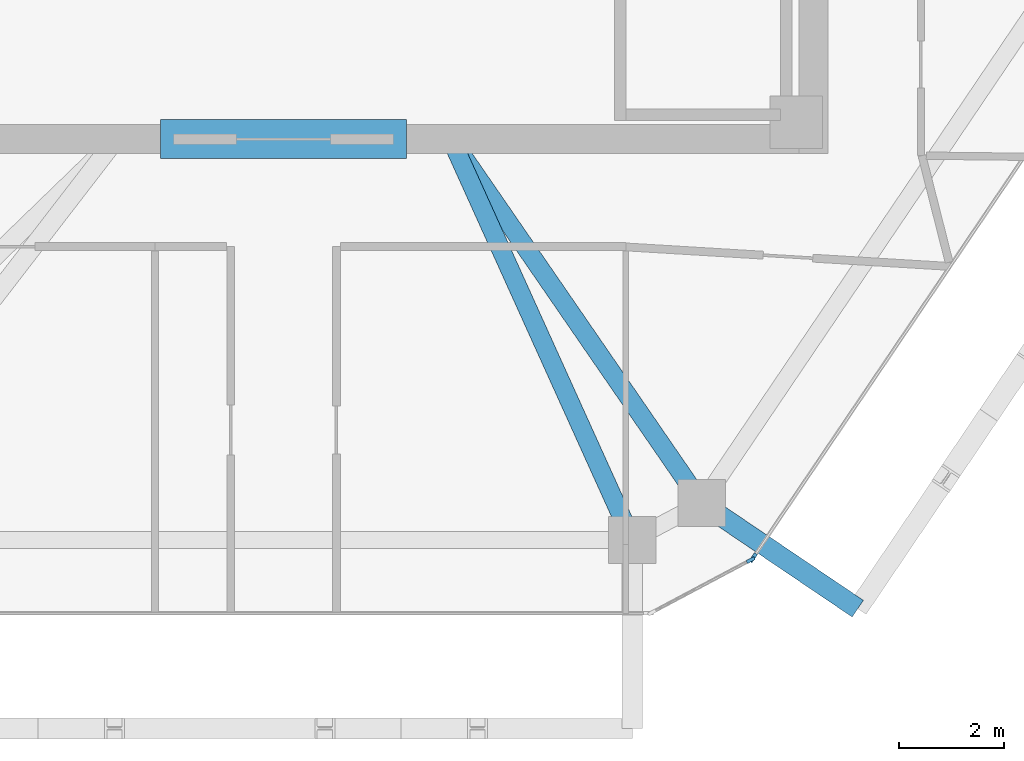
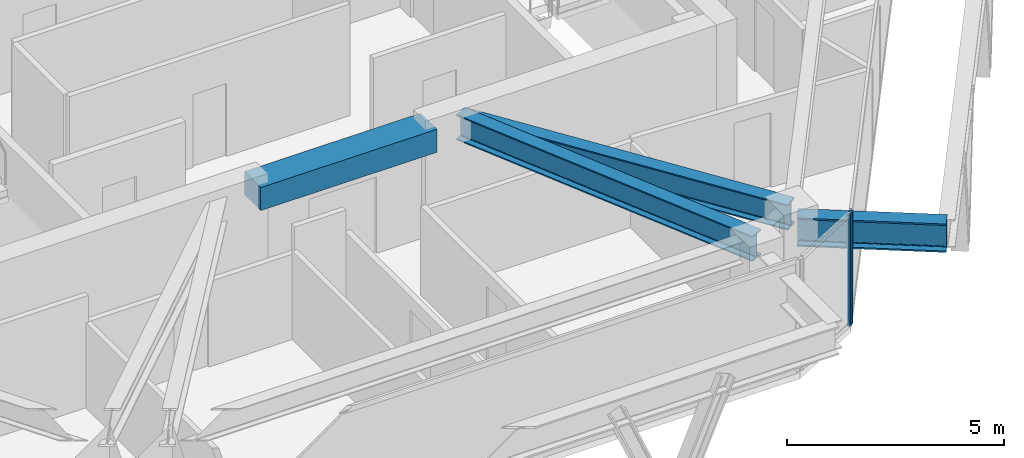
# One storey, part 3 of 11: 4 beams, 2 members, 2 elements without a shape of their own.
"""IFC4 building model written with IfcOpenShell, lengths in metres."""

import ifcopenshell
import ifcopenshell.guid

model = None  # the IFC model being written
_history = None  # IfcOwnerHistory: only IFC2X3 demands one
_inside = {}  # id of a spatial element -> (the spatial element, [elements in it])
_under = {}  # id of a project, library or spatial element -> (it, [spatial elements below it])
_declared = {}  # id of a project -> (the project, [libraries it declares])
_typed = {}  # id of a type object -> (the type object, [elements of that type])
_made_of = {}  # id of a material, layer set ... -> (it, [elements and type objects made of it])


def new_model(schema):
    """Start an empty IFC model of exactly this schema.

    Asked for "IFC4X3", IfcOpenShell would pick the latest addendum, in which some entities
    have other attributes; the version numbers below select the first issue.
    IFC2X3 requires an IfcOwnerHistory on every rooted entity: one is made here for all.
    """
    global model, _history
    if schema == "IFC4X3":
        model = ifcopenshell.file(schema_version=(4, 3, 0, 0))
    else:
        model = ifcopenshell.file(schema=schema)
    _inside.clear()
    _under.clear()
    _declared.clear()
    _typed.clear()
    _made_of.clear()
    _history = None
    if model.schema == "IFC2X3":
        org = make("IfcOrganization", Name="unknown")
        user = make(
            "IfcPersonAndOrganization",
            ThePerson=make("IfcPerson", FamilyName="unknown"),
            TheOrganization=org,
        )
        app = make(
            "IfcApplication",
            ApplicationDeveloper=org,
            Version="unknown",
            ApplicationFullName="unknown",
            ApplicationIdentifier="unknown",
        )
        _history = make(
            "IfcOwnerHistory",
            OwningUser=user,
            OwningApplication=app,
            ChangeAction="ADDED",
            CreationDate=0,
        )
    return model


def make(cls, **values):
    """One entity of the class cls with the attributes given. An attribute that is None is left unset."""
    return model.create_entity(
        cls, **{name: value for name, value in values.items() if value is not None}
    )


def rooted(cls, **values):
    """An entity with a GlobalId (a new one), such as an element, a storey or a relation."""
    return make(cls, GlobalId=ifcopenshell.guid.new(), OwnerHistory=_history, **values)


def si_unit(unit_type, name, prefix=None):
    """IfcSIUnit, for example si_unit("LENGTHUNIT", "METRE", prefix="MILLI")."""
    return make("IfcSIUnit", UnitType=unit_type, Prefix=prefix, Name=name)


def assignment(units):
    """IfcUnitAssignment: the units of a project."""
    return None if units is None else make("IfcUnitAssignment", Units=units)


def point(xyz):
    """IfcCartesianPoint."""
    return None if xyz is None else make("IfcCartesianPoint", Coordinates=xyz)


def direction(xyz):
    """IfcDirection."""
    return None if xyz is None else make("IfcDirection", DirectionRatios=xyz)


def frame(location, z_axis=None, x_axis=None):
    """IfcAxis2Placement3D, a coordinate frame: its origin and axes. An axis left out is left unset."""
    return make(
        "IfcAxis2Placement3D",
        Location=point(location),
        Axis=direction(z_axis),
        RefDirection=direction(x_axis),
    )


def frame_2d(location, x_axis=None):
    """IfcAxis2Placement2D, a coordinate frame in the plane: its origin and x axis."""
    return make(
        "IfcAxis2Placement2D", Location=point(location), RefDirection=direction(x_axis)
    )


def origin():
    """The frame at (0, 0, 0) with its axes left unset."""
    return frame((0.0, 0.0, 0.0))


def origin_2d():
    """The frame at (0, 0) in the plane with its x axis left unset."""
    return frame_2d((0.0, 0.0))


def place(relative_to, where):
    """IfcLocalPlacement: puts the frame where relative to a parent placement (None: the world)."""
    return make(
        "IfcLocalPlacement", PlacementRelTo=relative_to, RelativePlacement=where
    )


def context(
    kind, dimensions, precision=None, world=None, true_north=None, identifier=None
):
    """IfcGeometricRepresentationContext, for example the 3D "Model" context."""
    return make(
        "IfcGeometricRepresentationContext",
        ContextIdentifier=identifier,
        ContextType=kind,
        CoordinateSpaceDimension=dimensions,
        Precision=precision,
        WorldCoordinateSystem=world,
        TrueNorth=true_north,
    )


def subcontext(parent, identifier, kind, view, scale=None):
    """IfcGeometricRepresentationSubContext, for example "Body" below "Model"."""
    return make(
        "IfcGeometricRepresentationSubContext",
        ContextIdentifier=identifier,
        ContextType=kind,
        ParentContext=parent,
        TargetScale=scale,
        TargetView=view,
    )


def project(units=None, contexts=None):
    """IfcProject with its units and contexts."""
    return rooted(
        "IfcProject",
        Name="project",
        RepresentationContexts=contexts,
        UnitsInContext=assignment(units),
    )


def spatial(cls, under=None, at=None, **own):
    """A site, building, storey or space (cls), placed at a placement, below another one or the project."""
    s = rooted(cls, ObjectPlacement=at, **own)
    if under is not None:
        _under.setdefault(under.id(), (under, []))[1].append(s)
    return s


def profile(cls, at=None, kind="AREA", **sizes):
    """A parametric profile (cls). Its sizes go by their IFC names, for example OverallWidth=200.0."""
    return make(cls, ProfileType=kind, Position=at, **sizes)


def rectangle(**sizes):
    """IfcRectangleProfileDef."""
    return profile("IfcRectangleProfileDef", **sizes)


def i_section(**sizes):
    """IfcIShapeProfileDef."""
    return profile("IfcIShapeProfileDef", **sizes)


def extrude(swept, where, along, depth):
    """IfcExtrudedAreaSolid: the profile swept, set in the frame where, extruded along a direction by depth."""
    return make(
        "IfcExtrudedAreaSolid",
        SweptArea=swept,
        Position=where,
        ExtrudedDirection=direction(along),
        Depth=depth,
    )


def shape(context_of_items, identifier, shape_type, items):
    """IfcShapeRepresentation: the items that make up one representation, for example the "Body"."""
    return make(
        "IfcShapeRepresentation",
        ContextOfItems=context_of_items,
        RepresentationIdentifier=identifier,
        RepresentationType=shape_type,
        Items=items,
    )


def source(mapping_origin, context_of_items, identifier, shape_type, items):
    """IfcRepresentationMap: a shape defined once, which mapped items show again and again."""
    return make(
        "IfcRepresentationMap",
        MappingOrigin=mapping_origin,
        MappedRepresentation=shape(context_of_items, identifier, shape_type, items),
    )


def transform(
    local_origin,
    x_axis=None,
    y_axis=None,
    z_axis=None,
    scale=None,
    scale2=None,
    scale3=None,
    uniform=True,
):
    """IfcCartesianTransformationOperator3D, or its non-uniform kind. x_axis, y_axis, z_axis: its Axis1, 2, 3."""
    if uniform:
        return make(
            "IfcCartesianTransformationOperator3D",
            Axis1=direction(x_axis),
            Axis2=direction(y_axis),
            LocalOrigin=point(local_origin),
            Scale=scale,
            Axis3=direction(z_axis),
        )
    return make(
        "IfcCartesianTransformationOperator3DnonUniform",
        Axis1=direction(x_axis),
        Axis2=direction(y_axis),
        LocalOrigin=point(local_origin),
        Scale=scale,
        Axis3=direction(z_axis),
        Scale2=scale2,
        Scale3=scale3,
    )


def mapped(mapping_source, mapping_target):
    """IfcMappedItem: shows the shape of a source again, moved by a transform."""
    return make(
        "IfcMappedItem", MappingSource=mapping_source, MappingTarget=mapping_target
    )


def material(Name=None, Category=None):
    """IfcMaterial."""
    return make("IfcMaterial", Name=Name, Category=Category)


def layer(
    of_material, thickness, ventilated=None, Name=None, Category=None, Priority=None
):
    """IfcMaterialLayer: one layer of a wall or slab, of a material (None: an air gap)."""
    return make(
        "IfcMaterialLayer",
        Material=of_material,
        LayerThickness=thickness,
        IsVentilated=ventilated,
        Name=Name,
        Category=Category,
        Priority=Priority,
    )


def layer_set(layers, Name=None):
    """IfcMaterialLayerSet."""
    return make("IfcMaterialLayerSet", MaterialLayers=layers, LayerSetName=Name)


def material_profile(
    of_material, cross_section, Name=None, Category=None, Priority=None
):
    """IfcMaterialProfile: a cross section and its material."""
    return make(
        "IfcMaterialProfile",
        Name=Name,
        Material=of_material,
        Profile=cross_section,
        Priority=Priority,
        Category=Category,
    )


def profile_set(profiles, Name=None, composite=None):
    """IfcMaterialProfileSet."""
    return make(
        "IfcMaterialProfileSet",
        Name=Name,
        MaterialProfiles=profiles,
        CompositeProfile=composite,
    )


def made_of(thing, what):
    """Note that an element or type object is made of a material, layer set ...; save() writes the relation."""
    if what is not None:
        _made_of.setdefault(what.id(), (what, []))[1].append(thing)
    return thing


def type_object(cls, material=None, **own):
    """A type object (cls), such as IfcWallType, which elements share."""
    return made_of(rooted(cls, **own), material)


def type_shapes(of_type, sources):
    """Give a type object the sources (RepresentationMaps) that its elements show as mapped items."""
    of_type.RepresentationMaps = sources


def element(
    cls,
    number,
    at=None,
    inside=None,
    cuts=None,
    type_object=None,
    material=None,
    context=None,
    identifier="Body",
    shape_type=None,
    held_by="IfcProductDefinitionShape",
    body=None,
    shapes=None,
    **own,
):
    """One element of the class cls, such as IfcWall. Its Tag is "e" and its number.

    at: its placement. inside: the storey or other place that contains it. cuts: it is an
    opening in that element (IfcRelVoidsElement). A single representation is given by context,
    identifier, shape_type and body (its items); several are given by shapes. held_by: the class
    of the entity that holds the representations. save() writes the other relations.
    """
    e = rooted(cls, Tag="e%d" % number, ObjectPlacement=at, **own)
    if body is not None:
        shapes = [shape(context, identifier, shape_type, body)]
    if shapes is not None:
        e.Representation = make(held_by, Representations=shapes)
    if inside is not None:
        _inside.setdefault(inside.id(), (inside, []))[1].append(e)
    if cuts is not None:
        rooted(
            "IfcRelVoidsElement", RelatingBuildingElement=cuts, RelatedOpeningElement=e
        )
    if type_object is not None:
        _typed.setdefault(type_object.id(), (type_object, []))[1].append(e)
    return made_of(e, material)


def aggregate(whole, parts):
    """IfcRelAggregates: a whole, such as a stair, and the parts it consists of."""
    return rooted("IfcRelAggregates", RelatingObject=whole, RelatedObjects=parts)


def save(model, path):
    """Write the relations noted so far, then the file.

    IfcRelAggregates (storeys below a building ...), IfcRelContainedInSpatialStructure (elements
    in a storey), IfcRelDefinesByType, IfcRelAssociatesMaterial and IfcRelDeclares: one each for
    every whole, place, type object, material and project.
    """
    for whole, parts in _under.values():
        aggregate(whole, parts)
    for where, things in _inside.values():
        rooted(
            "IfcRelContainedInSpatialStructure",
            RelatedElements=things,
            RelatingStructure=where,
        )
    for kind, things in _typed.values():
        rooted("IfcRelDefinesByType", RelatedObjects=things, RelatingType=kind)
    for what, things in _made_of.values():
        rooted("IfcRelAssociatesMaterial", RelatedObjects=things, RelatingMaterial=what)
    for by, libraries in _declared.values():
        rooted("IfcRelDeclares", RelatingContext=by, RelatedDefinitions=libraries)
    model.write(path)


model = new_model("IFC4")

# Units and contexts
model_context = context("Model", 3, precision=1e-05, world=origin(), true_north=direction((0.0, 1.0)))
body_context = subcontext(model_context, "Body", "Model", "MODEL_VIEW")
ifc_project = project(units=[si_unit("LENGTHUNIT", "METRE"), si_unit("AREAUNIT", "SQUARE_METRE"), si_unit("VOLUMEUNIT", "CUBIC_METRE"), si_unit("PLANEANGLEUNIT", "RADIAN"), si_unit("MASSUNIT", "GRAM", prefix="KILO")], contexts=[model_context])

# Site, building, storey
site_placement = place(None, origin())
site = spatial("IfcSite", under=ifc_project, at=site_placement, CompositionType="ELEMENT")
building_placement = place(site_placement, origin())
building = spatial("IfcBuilding", under=site, at=building_placement, Name="Durnholm Broadcast Tower", CompositionType="ELEMENT")
storey_placement = place(building_placement, frame((0.0, 0.0, 251.300048828125)))
storey = spatial("IfcBuildingStorey", under=building, at=storey_placement, Name="L70", CompositionType="ELEMENT", Elevation=251.300048828125)

# Beams
ifc_material_1 = material(Name="Concrete C70/85", Category="concrete")
ifc_material_profile_1 = material_profile(ifc_material_1, rectangle(XDim=0.75, YDim=0.64990234375, at=origin_2d()), Name="RC750X650")
ifc_profile_set_1 = profile_set([ifc_material_profile_1], Name="Concrete C70/85")
beam_type_1 = type_object("IfcBeamType", Name="BM-CB-RC650", PredefinedType="LINTEL", material=ifc_profile_set_1)
shared_shape_1 = source(origin(), body_context, "Body", "SweptSolid", [
    extrude(rectangle(XDim=0.75, YDim=0.64990234375, at=origin_2d()), origin(), (0.0, 0.0, 1.0), 4.7001953125),
])
type_shapes(beam_type_1, [shared_shape_1])
beam_1_placement = place(storey_placement, frame((-2.35009765625, -8.125, 2.829833984375), z_axis=(1.0, 0.0, 0.0), x_axis=(0.0, 1.0, 0.0)))
element("IfcBeam", 1, at=beam_1_placement, inside=storey, type_object=beam_type_1, Name="L70 south core coupling lintel beam CB-S", PredefinedType="LINTEL", context=body_context, shape_type="MappedRepresentation", body=[
    mapped(shared_shape_1, transform((0.0, 0.0, 0.0), x_axis=(1.0, 0.0, 0.0), y_axis=(0.0, 1.0, 0.0), z_axis=(0.0, 0.0, 1.0), scale=1.0)),
])
ifc_material_2 = material(Name="Steel ASTM A992 Grade 50", Category="steel")
ifc_material_profile_2 = material_profile(ifc_material_2, i_section(OverallWidth=0.385009765625, OverallDepth=0.802978515625, WebThickness=0.023681640625, FlangeThickness=0.0419921875, FilletRadius=0.032958984375, at=origin_2d()), Name="W30X261")
ifc_profile_set_2 = profile_set([ifc_material_profile_2], Name="Steel ASTM A992 Grade 50")
beam_type_2 = type_object("IfcBeamType", Name="BM-EXO-TIE", PredefinedType="USERDEFINED", material=ifc_profile_set_2)
shared_shape_2 = source(origin(), body_context, "Body", "SweptSolid", [
    extrude(i_section(OverallWidth=0.385009765625, OverallDepth=0.802978515625, WebThickness=0.023681640625, FlangeThickness=0.0419921875, FilletRadius=0.032958984375, at=origin_2d()), origin(), (0.0, 0.0, 1.0), 3.4560546875),
])
type_shapes(beam_type_2, [shared_shape_2])
beam_2_placement = place(storey_placement, frame((8.110107421875, -15.161865234375, 2.408447265625), z_axis=(0.828468499792, -0.560035663911, 0.0), x_axis=(0.560035663911, 0.828468499792, 0.0)))
element("IfcBeam", 2, at=beam_2_placement, inside=storey, type_object=beam_type_2, Name="L70 exoskeleton stand-off tie bracket F2.1", ObjectType="GIRDER", PredefinedType="USERDEFINED", context=body_context, shape_type="MappedRepresentation", body=[
    mapped(shared_shape_2, transform((0.0, 0.0, 0.0), x_axis=(1.0, 0.0, 0.0), y_axis=(0.0, 1.0, 0.0), z_axis=(0.0, 0.0, 1.0), scale=1.0)),
])
ifc_material_profile_3 = material_profile(ifc_material_2, i_section(OverallWidth=0.3564453125, OverallDepth=0.713623046875, WebThickness=0.01904296875, FlangeThickness=0.033935546875, FilletRadius=0.030517578125, at=origin_2d()), Name="W27X194")
ifc_profile_set_3 = profile_set([ifc_material_profile_3], Name="Steel ASTM A992 Grade 50")
beam_type_3 = type_object("IfcBeamType", Name="STL-GR-W27X194", PredefinedType="USERDEFINED", material=ifc_profile_set_3)
shared_shape_3 = source(origin(), body_context, "Body", "SweptSolid", [
    extrude(i_section(OverallWidth=0.3564453125, OverallDepth=0.713623046875, WebThickness=0.01904296875, FlangeThickness=0.033935546875, FilletRadius=0.030517578125, at=origin_2d()), origin(), (0.0, 0.0, 1.0), 8.446533203125),
])
beam_3_placement = place(storey_placement, frame((3.199951171875, -8.125, 2.7880859375), z_axis=(0.567216806915, -0.823568511997, 0.0), x_axis=(0.823568511997, 0.567216806915, 0.0)))
element("IfcBeam", 3, at=beam_3_placement, inside=storey, type_object=beam_type_3, Name="L70 radial primary floor girder 10", ObjectType="GIRDER", PredefinedType="USERDEFINED", context=body_context, shape_type="MappedRepresentation", body=[
    mapped(shared_shape_3, transform((0.0, 0.0, 0.0), x_axis=(1.0, 0.0, 0.0), y_axis=(0.0, 1.0, 0.0), z_axis=(0.0, 0.0, 1.0), scale=1.0)),
])
shared_shape_4 = source(origin(), body_context, "Body", "SweptSolid", [
    extrude(i_section(OverallWidth=0.3564453125, OverallDepth=0.713623046875, WebThickness=0.01904296875, FlangeThickness=0.033935546875, FilletRadius=0.030517578125, at=origin_2d()), origin(), (0.0, 0.0, 1.0), 8.407470703125),
])
type_shapes(beam_type_3, [shared_shape_3, shared_shape_4])
beam_4_placement = place(storey_placement, frame((3.199951171875, -8.125, 2.7880859375), z_axis=(0.411992813642, -0.911187094678, 0.0), x_axis=(0.911187094678, 0.411992813642, 0.0)))
element("IfcBeam", 4, at=beam_4_placement, inside=storey, type_object=beam_type_3, Name="L70 radial primary floor girder 11", ObjectType="GIRDER", PredefinedType="USERDEFINED", context=body_context, shape_type="MappedRepresentation", body=[
    mapped(shared_shape_4, transform((0.0, 0.0, 0.0), x_axis=(1.0, 0.0, 0.0), y_axis=(0.0, 1.0, 0.0), z_axis=(0.0, 0.0, 1.0), scale=1.0)),
])

# Curtain wall, member
ifc_material_3 = material(Name="Aluminium and Solar Control IGU", Category="aluminium")
ifc_layer_1 = layer(ifc_material_3, 0.1650390625)
ifc_layer_set_1 = layer_set([ifc_layer_1], Name="Aluminium and Solar Control IGU")
curtain_wall_type_1 = type_object("IfcCurtainWallType", Name="CW-SYS-5", PredefinedType="NOTDEFINED", material=ifc_layer_set_1)
curtain_wall_1_placement = place(storey_placement, origin())
curtain_wall_1 = element("IfcCurtainWall", 5, at=curtain_wall_1_placement, inside=storey, type_object=curtain_wall_type_1, Name="L70 curtain wall CW-CORNER CW-L70-CRN-09", PredefinedType="NOTDEFINED")
ifc_material_4 = material(Name="Aluminium 6063-T6", Category="aluminium")
ifc_material_profile_4 = material_profile(ifc_material_4, rectangle(XDim=0.06494140625, YDim=0.1650390625, at=origin_2d()), Name="CWM65X165")
ifc_profile_set_4 = profile_set([ifc_material_profile_4], Name="Aluminium 6063-T6")
member_type_1 = type_object("IfcMemberType", Name="CW-SYS-5-MUL", PredefinedType="MULLION", material=ifc_profile_set_4)
shared_shape_5 = source(origin(), body_context, "Body", "SweptSolid", [
    extrude(rectangle(XDim=0.06494140625, YDim=0.1650390625, at=origin_2d()), origin(), (0.0, 0.0, 1.0), 3.159912109375),
])
type_shapes(member_type_1, [shared_shape_5])
member_1_placement = place(storey_placement, frame((8.9267578125, -16.16943359375, 0.0), z_axis=(0.0, 0.0, 1.0), x_axis=(0.469006771575, -0.883194569853, 0.0)))
member_1 = element("IfcMember", 6, at=member_1_placement, type_object=member_type_1, Name="CW-CORNER mullion 1", PredefinedType="MULLION", context=body_context, shape_type="MappedRepresentation", body=[
    mapped(shared_shape_5, transform((0.0, 0.0, 0.0), x_axis=(1.0, 0.0, 0.0), y_axis=(0.0, 1.0, 0.0), z_axis=(0.0, 0.0, 1.0), scale=1.0)),
])
aggregate(curtain_wall_1, [member_1])

ifc_layer_2 = layer(ifc_material_3, 0.18994140625)
ifc_layer_set_2 = layer_set([ifc_layer_2], Name="Aluminium and Solar Control IGU")
curtain_wall_type_2 = type_object("IfcCurtainWallType", Name="CW-SYS-4", PredefinedType="NOTDEFINED", material=ifc_layer_set_2)
curtain_wall_2_placement = place(storey_placement, origin())
curtain_wall_2 = element("IfcCurtainWall", 7, at=curtain_wall_2_placement, inside=storey, type_object=curtain_wall_type_2, Name="L70 curtain wall CW-Z34-VIS CW-L70-F08", PredefinedType="NOTDEFINED")
ifc_material_profile_5 = material_profile(ifc_material_4, rectangle(XDim=0.070068359375, YDim=0.18994140625, at=origin_2d()), Name="CWM70X190")
ifc_profile_set_5 = profile_set([ifc_material_profile_5], Name="Aluminium 6063-T6")
member_type_2 = type_object("IfcMemberType", Name="CW-SYS-4-MUL", PredefinedType="MULLION", material=ifc_profile_set_5)
shared_shape_6 = source(origin(), body_context, "Body", "SweptSolid", [
    extrude(rectangle(XDim=0.070068359375, YDim=0.18994140625, at=origin_2d()), origin(), (0.0, 0.0, 1.0), 3.159912109375),
])
type_shapes(member_type_2, [shared_shape_6])
member_2_placement = place(storey_placement, frame((8.97509765625, -16.125244140625, 0.0), z_axis=(0.0, 0.0, 1.0), x_axis=(0.828443431662, -0.560072745753, 0.0)))
member_2 = element("IfcMember", 8, at=member_2_placement, type_object=member_type_2, Name="CW-Z34-VIS mullion 2", PredefinedType="MULLION", context=body_context, shape_type="MappedRepresentation", body=[
    mapped(shared_shape_6, transform((0.0, 0.0, 0.0), x_axis=(1.0, 0.0, 0.0), y_axis=(0.0, 1.0, 0.0), z_axis=(0.0, 0.0, 1.0), scale=1.0)),
])
aggregate(curtain_wall_2, [member_2])

save(model, "model.ifc")
